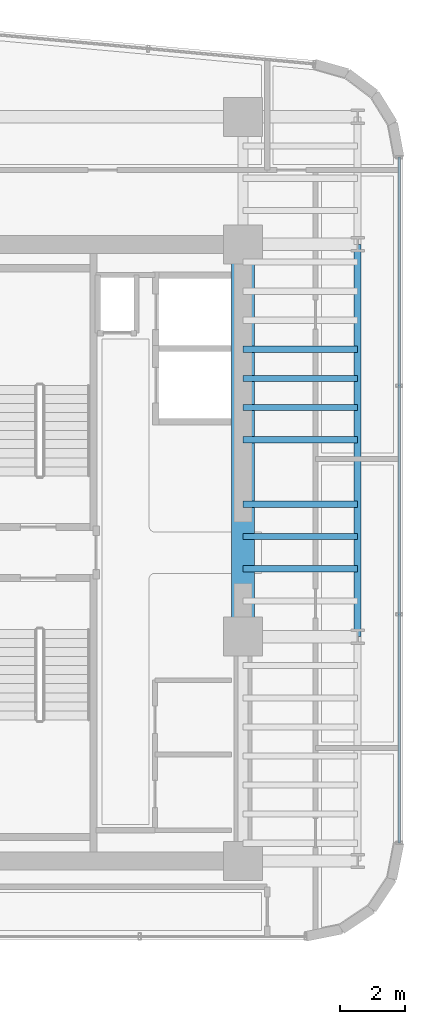
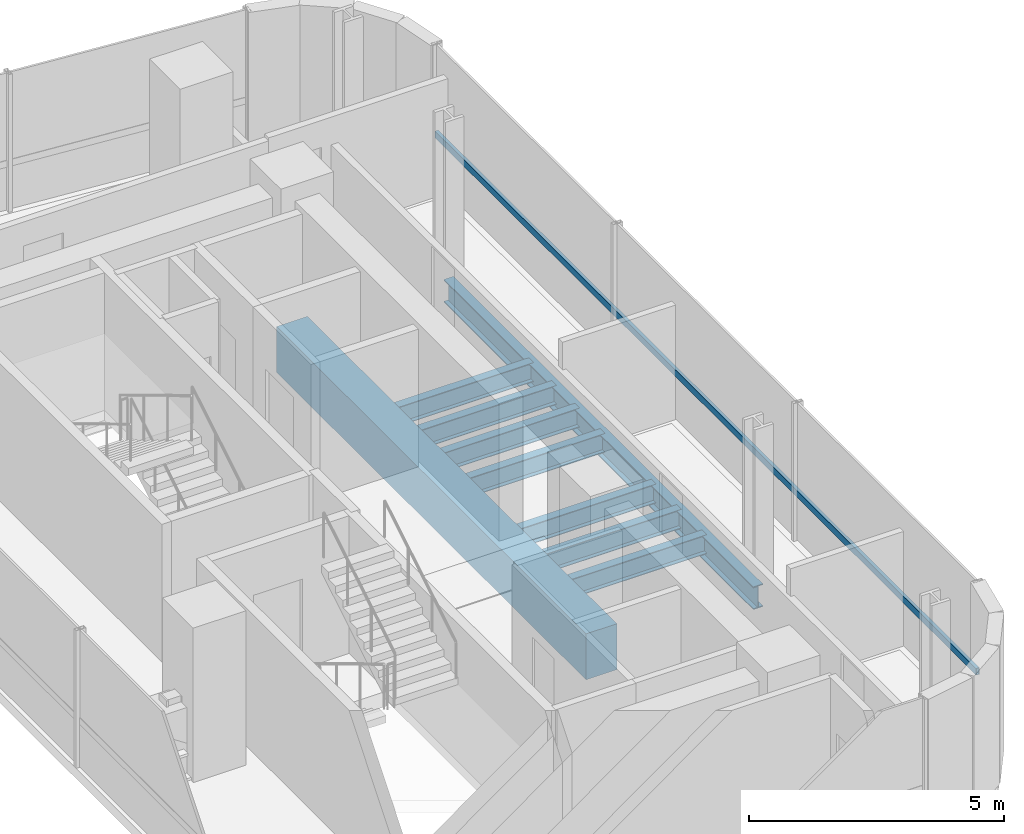
# One storey, part 17 of 35: 9 beams, 1 member, 1 element without a shape of its own.
"""IFC4 building model written with IfcOpenShell, lengths in metres."""

from ifc_helpers import new_model, si_unit, direction, frame, origin, origin_2d, place, context, subcontext, project, spatial, rectangle, hollow_rectangle, i_section, extrude, source, transform, mapped, material, material_profile, profile_set, type_object, element, aggregate, save


model = new_model("IFC4")

# Units and contexts
model_context = context("Model", 3, precision=1e-05, world=origin(), true_north=direction((0.0, 1.0)))
body_context = subcontext(model_context, "Body", "Model", "MODEL_VIEW")
ifc_project = project(units=[si_unit("LENGTHUNIT", "METRE"), si_unit("AREAUNIT", "SQUARE_METRE"), si_unit("VOLUMEUNIT", "CUBIC_METRE"), si_unit("PLANEANGLEUNIT", "RADIAN"), si_unit("MASSUNIT", "GRAM", prefix="KILO")], contexts=[model_context])

# Site, building, storey
site_placement = place(None, origin())
site = spatial("IfcSite", under=ifc_project, at=site_placement, CompositionType="ELEMENT")
building_placement = place(site_placement, origin())
building = spatial("IfcBuilding", under=site, at=building_placement, Name="Valdorenza Pilgrim Sanctuary Tower", CompositionType="ELEMENT")
storey_placement = place(building_placement, frame((0.0, 0.0, 168.60009765625)))
storey = spatial("IfcBuildingStorey", under=building, at=storey_placement, Name="L43", CompositionType="ELEMENT", Elevation=168.60009765625)

# Beams
ifc_material_1 = material(Name="Concrete C50/60", Category="concrete")
ifc_material_profile_1 = material_profile(ifc_material_1, rectangle(XDim=0.699951171875, YDim=1.10009765625, at=origin_2d()), Name="RC 1100x700")
ifc_profile_set_1 = profile_set([ifc_material_profile_1], Name="Concrete C50/60")
beam_type_1 = type_object("IfcBeamType", Name="STR-BM-LNT-1100", PredefinedType="LINTEL", material=ifc_profile_set_1)
shared_shape_1 = source(origin(), body_context, "Body", "SweptSolid", [
    extrude(rectangle(XDim=0.699951171875, YDim=1.10009765625, at=origin_2d()), origin(), (0.0, 0.0, 1.0), 12.150146484375),
])
beam_1_placement = place(storey_placement, frame((24.85009765625, -2.60009765625, -0.590087890625), z_axis=(0.0, 1.0, 0.0), x_axis=(-1.0, 0.0, 0.0)))
element("IfcBeam", 1, at=beam_1_placement, inside=storey, type_object=beam_type_1, Name="L43 Core B East Coupling Lintel Girder", PredefinedType="LINTEL", context=body_context, shape_type="MappedRepresentation", body=[
    mapped(shared_shape_1, transform((0.0, 0.0, 0.0), x_axis=(1.0, 0.0, 0.0), y_axis=(0.0, 1.0, 0.0), z_axis=(0.0, 0.0, 1.0), scale=1.0)),
])
ifc_material_2 = material(Name="Steel ASTM A992 Grade 50", Category="steel")
ifc_material_profile_2 = material_profile(ifc_material_2, i_section(OverallWidth=0.214111328125, OverallDepth=0.549072265625, WebThickness=0.0146484375, FlangeThickness=0.023681640625, at=origin_2d()), Name="W21X93")
ifc_profile_set_2 = profile_set([ifc_material_profile_2], Name="Steel ASTM A992 Grade 50")
beam_type_2 = type_object("IfcBeamType", Name="STR-BM-SPN-W21A", PredefinedType="SPANDREL", material=ifc_profile_set_2)
shared_shape_2 = source(origin(), body_context, "Body", "SweptSolid", [
    extrude(i_section(OverallWidth=0.214111328125, OverallDepth=0.549072265625, WebThickness=0.0146484375, FlangeThickness=0.023681640625, at=origin_2d()), origin(), (0.0, 0.0, 1.0), 12.150146484375),
])
beam_2_placement = place(storey_placement, frame((28.39990234375, -2.60009765625, -0.5146484375), z_axis=(0.0, 1.0, 0.0), x_axis=(-1.0, 0.0, 0.0)))
element("IfcBeam", 2, at=beam_2_placement, inside=storey, type_object=beam_type_2, Name="L43 Spandrel Beam WB-E-M0N1", PredefinedType="SPANDREL", context=body_context, shape_type="MappedRepresentation", body=[
    mapped(shared_shape_2, transform((0.0, 0.0, 0.0), x_axis=(1.0, 0.0, 0.0), y_axis=(0.0, 1.0, 0.0), z_axis=(0.0, 0.0, 1.0), scale=1.0)),
])
ifc_material_profile_3 = material_profile(ifc_material_2, i_section(OverallWidth=0.19091796875, OverallDepth=0.45703125, WebThickness=0.009033203125, FlangeThickness=0.014404296875, at=origin_2d()), Name="W18X50")
ifc_profile_set_3 = profile_set([ifc_material_profile_3], Name="Steel ASTM A992 Grade 50")
beam_type_3 = type_object("IfcBeamType", Name="STR-BM-JST-W18B", PredefinedType="JOIST", material=ifc_profile_set_3)
shared_shape_3 = source(origin(), body_context, "Body", "SweptSolid", [
    extrude(i_section(OverallWidth=0.19091796875, OverallDepth=0.45703125, WebThickness=0.009033203125, FlangeThickness=0.014404296875, at=origin_2d()), origin(), (0.0, 0.0, 1.0), 3.5498046875),
])
for number, where, z_axis, x_axis, name in (
    (3, (24.85009765625, -0.5, -0.468505859375), (1.0, 0.0, 0.0), (0.0, 1.0, 0.0), "L43 Composite Floor Joist JST-WB-9"),
    (4, (24.85009765625, 0.5, -0.468505859375), (1.0, 0.0, 0.0), (0.0, 1.0, 0.0), "L43 Composite Floor Joist JST-WB-10"),
    (5, (24.85009765625, 1.5, -0.468505859375), (1.0, 0.0, 0.0), (0.0, 1.0, 0.0), "L43 Composite Floor Joist JST-WB-11"),
    (6, (24.85009765625, 3.5, -0.468505859375), (1.0, 0.0, 0.0), (0.0, 1.0, 0.0), "L43 Composite Floor Joist JST-WB-12"),
    (7, (24.85009765625, 4.5, -0.468505859375), (1.0, 0.0, 0.0), (0.0, 1.0, 0.0), "L43 Composite Floor Joist JST-WB-13"),
    (8, (24.85009765625, 5.39990234375, -0.468505859375), (1.0, 0.0, 0.0), (0.0, 1.0, 0.0), "L43 Composite Floor Joist JST-WB-14"),
    (9, (24.85009765625, 6.300048828125, -0.468505859375), (1.0, 0.0, 0.0), (0.0, 1.0, 0.0), "L43 Composite Floor Joist JST-WB-15"),
):
    element("IfcBeam", number, at=place(storey_placement, frame(where, z_axis=z_axis, x_axis=x_axis)), inside=storey, type_object=beam_type_3, Name=name, PredefinedType="JOIST", context=body_context, shape_type="MappedRepresentation", body=[
        mapped(shared_shape_3, transform((0.0, 0.0, 0.0), x_axis=(1.0, 0.0, 0.0), y_axis=(0.0, 1.0, 0.0), z_axis=(0.0, 0.0, 1.0), scale=1.0)),
    ])

# Curtain wall, member
ifc_material_3 = material(Name="Curtain-wall IGU glazing", Category="glass")
curtain_wall_type = type_object("IfcCurtainWallType", Name="CW-SYS-03", PredefinedType="NOTDEFINED", material=ifc_material_3)
curtain_wall_placement = place(storey_placement, origin())
curtain_wall = element("IfcCurtainWall", 10, at=curtain_wall_placement, inside=storey, type_object=curtain_wall_type, Name="L43 Curtain Wall CW-L43-2-11", PredefinedType="NOTDEFINED")
ifc_material_4 = material(Name="Anodised aluminium AW-6060", Category="aluminium")
ifc_material_profile_4 = material_profile(ifc_material_4, hollow_rectangle(XDim=0.074951171875, YDim=0.159912109375, WallThickness=0.00390625, at=origin_2d()), Name="ALU-T 160x75x4")
ifc_profile_set_4 = profile_set([ifc_material_profile_4], Name="Anodised aluminium AW-6060")
member_type = type_object("IfcMemberType", Name="CW-TRN-03", PredefinedType="USERDEFINED", material=ifc_profile_set_4)
shared_shape_4 = source(origin(), body_context, "Body", "SweptSolid", [
    extrude(hollow_rectangle(XDim=0.074951171875, YDim=0.159912109375, WallThickness=0.00390625, at=origin_2d()), origin(), (0.0, 0.0, 1.0), 21.242431640625),
])
member_placement = place(storey_placement, frame((29.68994140625, 12.253173828125, 1.119873046875), z_axis=(0.0, -1.0, 0.0), x_axis=(1.0, 0.0, 0.0)))
member = element("IfcMember", 11, at=member_placement, type_object=member_type, Name="CW-L43-2-11 Transom 1", ObjectType="TRANSOM", PredefinedType="USERDEFINED", context=body_context, shape_type="MappedRepresentation", body=[
    mapped(shared_shape_4, transform((0.0, 0.0, 0.0), x_axis=(1.0, 0.0, 0.0), y_axis=(0.0, 1.0, 0.0), z_axis=(0.0, 0.0, 1.0), scale=1.0)),
])
aggregate(curtain_wall, [member])

save(model, "model.ifc")
